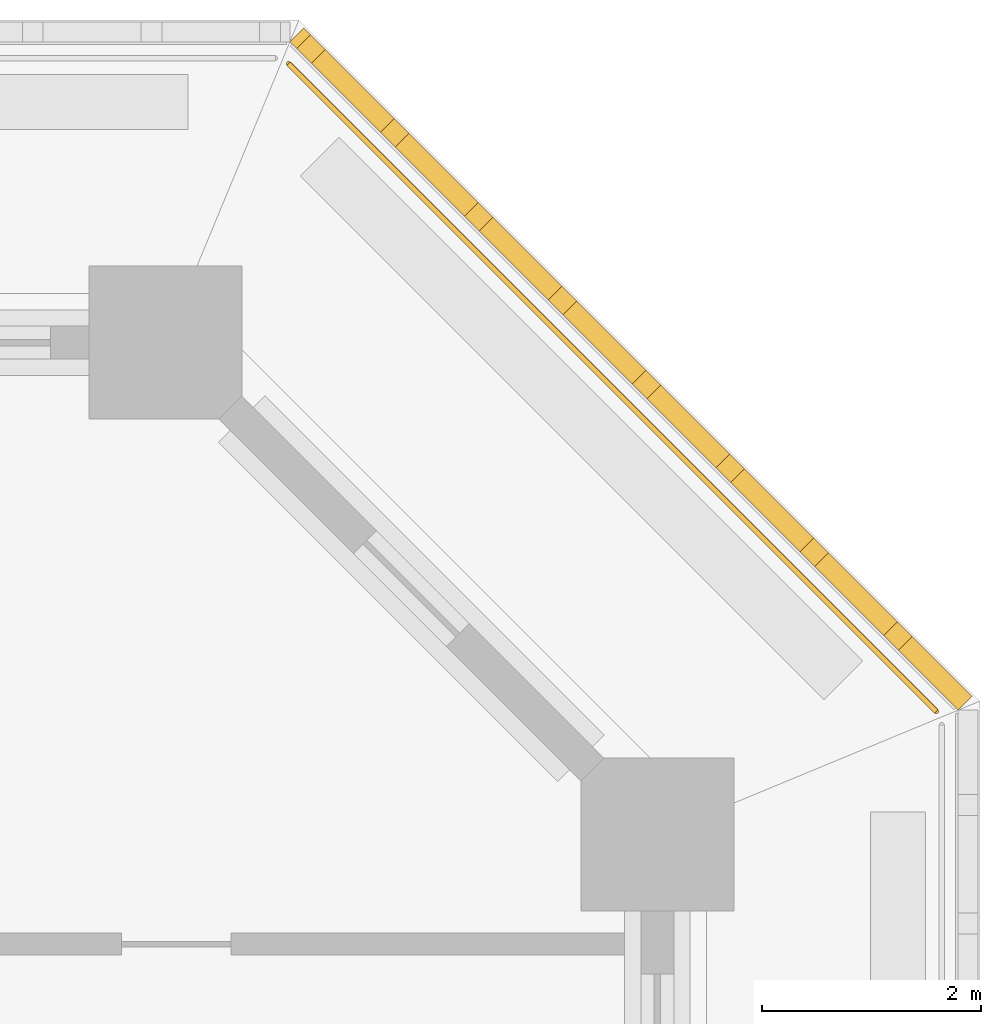
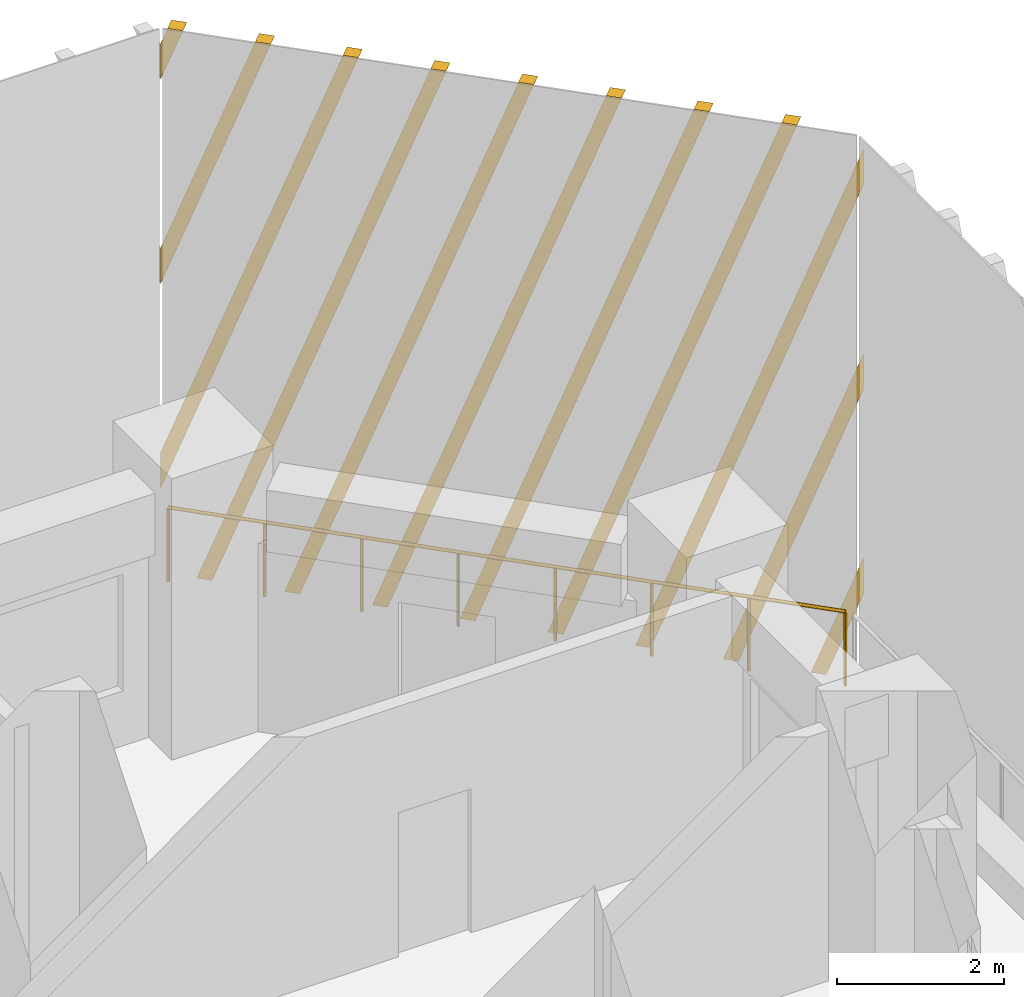
# One storey, part 13 of 14: 1 railing, 1 shading device.
"""IFC4 building model written with IfcOpenShell, lengths in metres."""

from ifc_helpers import new_model, si_unit, direction, frame, origin, origin_2d, place, context, subcontext, project, spatial, polyline, circle, outline, extrude, source, transform, mapped, material, type_object, element, save


model = new_model("IFC4")

# Units and contexts
model_context = context("Model", 3, precision=1e-05, world=origin(), true_north=direction((0.0, 1.0)))
body_context = subcontext(model_context, "Body", "Model", "MODEL_VIEW")
ifc_project = project(units=[si_unit("LENGTHUNIT", "METRE"), si_unit("AREAUNIT", "SQUARE_METRE"), si_unit("VOLUMEUNIT", "CUBIC_METRE"), si_unit("PLANEANGLEUNIT", "RADIAN"), si_unit("MASSUNIT", "GRAM", prefix="KILO")], contexts=[model_context])

# Site, building, storey
site_placement = place(None, origin())
site = spatial("IfcSite", under=ifc_project, at=site_placement, CompositionType="ELEMENT")
building_placement = place(site_placement, origin())
building = spatial("IfcBuilding", under=site, at=building_placement, Name="Corbel Stack Research Tower", CompositionType="ELEMENT")
storey_placement = place(building_placement, frame((0.0, 0.0, 50.10009765625)))
storey = spatial("IfcBuildingStorey", under=building, at=storey_placement, Name="L11", CompositionType="ELEMENT", Elevation=50.10009765625)

# Railing
ifc_material_1 = material(Name="Powder-coated steel guard", Category="steel")
railing_type = type_object("IfcRailingType", Name="Steel and glass guard 1100", PredefinedType="GUARDRAIL", material=ifc_material_1)
railing_placement = place(storey_placement, frame((34.04931640625, 23.627685546875, 0.0)))
element("IfcRailing", 1, at=railing_placement, inside=storey, type_object=railing_type, Name="Loggia guard L11 NE", PredefinedType="GUARDRAIL", context=body_context, shape_type="SweptSolid", body=[
    extrude(circle(Radius=0.02392578125, at=origin_2d()), frame((0.0, 0.0, 1.076171875), z_axis=(-0.707106781187, 0.707106781187, 0.0), x_axis=(-0.707106781187, -0.707106781187, 0.0)), (0.0, 0.0, 1.0), 8.37451171875),
    extrude(circle(Radius=0.02099609375, at=origin_2d()), origin(), (0.0, 0.0, 1.0), 1.052001953125),
    extrude(circle(Radius=0.02099609375, at=origin_2d()), frame((-0.845947265625, 0.845947265625, 0.0)), (0.0, 0.0, 1.0), 1.052001953125),
    extrude(circle(Radius=0.02099609375, at=origin_2d()), frame((-1.69189453125, 1.69189453125, 0.0)), (0.0, 0.0, 1.0), 1.052001953125),
    extrude(circle(Radius=0.02099609375, at=origin_2d()), frame((-2.537841796875, 2.537841796875, 0.0)), (0.0, 0.0, 1.0), 1.052001953125),
    extrude(circle(Radius=0.02099609375, at=origin_2d()), frame((-3.3837890625, 3.3837890625, 0.0)), (0.0, 0.0, 1.0), 1.052001953125),
    extrude(circle(Radius=0.02099609375, at=origin_2d()), frame((-4.229736328125, 4.229736328125, 0.0)), (0.0, 0.0, 1.0), 1.052001953125),
    extrude(circle(Radius=0.02099609375, at=origin_2d()), frame((-5.07568359375, 5.07568359375, 0.0)), (0.0, 0.0, 1.0), 1.052001953125),
    extrude(circle(Radius=0.02099609375, at=origin_2d()), frame((-5.921630859375, 5.921630859375, 0.0)), (0.0, 0.0, 1.0), 1.052001953125),
])

# Shading device
ifc_material_2 = material(Name="Precast terracotta", Category="masonry")
shading_device_type = type_object("IfcShadingDeviceType", Name="Terracotta screen panel", PredefinedType="USERDEFINED", material=ifc_material_2)
shared_shape = source(origin(), body_context, "Body", "SweptSolid", [
    extrude(outline(polyline([(0.60205078125, 0.0), (0.0, 1.654296875), (0.0, 1.13232421875), (0.412109375, 0.0), (0.60205078125, 0.0)])), frame((0.0, 0.0, 0.0), z_axis=(0.0, -1.0, 0.0), x_axis=(1.0, 0.0, 0.0)), (0.0, 0.0, 1.0), 0.179931640625),
    extrude(outline(polyline([(1.686767578125, 0.0), (0.0, 4.634521484375), (0.0, 4.1123046875), (1.496826171875, 0.0), (1.686767578125, 0.0)])), frame((0.0, 0.0, 0.0), z_axis=(0.0, -1.0, 0.0), x_axis=(1.0, 0.0, 0.0)), (0.0, 0.0, 1.0), 0.179931640625),
    extrude(outline(polyline([(2.771484375, 0.0), (0.0, 7.614501953125), (0.0, 7.092529296875), (2.58154296875, 0.0), (2.771484375, 0.0)])), frame((0.0, 0.0, 0.0), z_axis=(0.0, -1.0, 0.0), x_axis=(1.0, 0.0, 0.0)), (0.0, 0.0, 1.0), 0.179931640625),
    extrude(outline(polyline([(3.856201171875, 0.0), (0.962646484375, 7.949951171875), (0.772705078125, 7.949951171875), (3.666015625, 0.0), (3.856201171875, 0.0)])), frame((0.0, 0.0, 0.0), z_axis=(0.0, -1.0, 0.0), x_axis=(1.0, 0.0, 0.0)), (0.0, 0.0, 1.0), 0.179931640625),
    extrude(outline(polyline([(4.94091796875, 0.0), (2.047119140625, 7.949951171875), (1.857177734375, 7.949951171875), (4.750732421875, 0.0), (4.94091796875, 0.0)])), frame((0.0, 0.0, 0.0), z_axis=(0.0, -1.0, 0.0), x_axis=(1.0, 0.0, 0.0)), (0.0, 0.0, 1.0), 0.179931640625),
    extrude(outline(polyline([(6.025390625, 0.0), (3.1318359375, 7.949951171875), (2.94189453125, 7.949951171875), (5.83544921875, 0.0), (6.025390625, 0.0)])), frame((0.0, 0.0, 0.0), z_axis=(0.0, -1.0, 0.0), x_axis=(1.0, 0.0, 0.0)), (0.0, 0.0, 1.0), 0.179931640625),
    extrude(outline(polyline([(7.110107421875, 0.0), (4.216552734375, 7.949951171875), (4.026611328125, 7.949951171875), (6.920166015625, 0.0), (7.110107421875, 0.0)])), frame((0.0, 0.0, 0.0), z_axis=(0.0, -1.0, 0.0), x_axis=(1.0, 0.0, 0.0)), (0.0, 0.0, 1.0), 0.179931640625),
    extrude(outline(polyline([(8.19482421875, 0.0), (5.30126953125, 7.949951171875), (5.111083984375, 7.949951171875), (8.0048828125, 0.0), (8.19482421875, 0.0)])), frame((0.0, 0.0, 0.0), z_axis=(0.0, -1.0, 0.0), x_axis=(1.0, 0.0, 0.0)), (0.0, 0.0, 1.0), 0.179931640625),
    extrude(outline(polyline([(6.385986328125, 7.949951171875), (6.19580078125, 7.949951171875), (8.64208984375, 1.22900390625), (8.64208984375, 1.751220703125), (6.385986328125, 7.949951171875)])), frame((0.0, 0.0, 0.0), z_axis=(0.0, -1.0, 0.0), x_axis=(1.0, 0.0, 0.0)), (0.0, 0.0, 1.0), 0.179931640625),
    extrude(outline(polyline([(7.470703125, 7.949951171875), (7.280517578125, 7.949951171875), (8.64208984375, 4.208984375), (8.64208984375, 4.731201171875), (7.470703125, 7.949951171875)])), frame((0.0, 0.0, 0.0), z_axis=(0.0, -1.0, 0.0), x_axis=(1.0, 0.0, 0.0)), (0.0, 0.0, 1.0), 0.179931640625),
    extrude(outline(polyline([(8.55517578125, 7.949951171875), (8.365234375, 7.949951171875), (8.64208984375, 7.189208984375), (8.64208984375, 7.711181640625), (8.55517578125, 7.949951171875)])), frame((0.0, 0.0, 0.0), z_axis=(0.0, -1.0, 0.0), x_axis=(1.0, 0.0, 0.0)), (0.0, 0.0, 1.0), 0.179931640625),
])
shading_device_placement = place(storey_placement, frame((34.25, 23.63916015625, 0.0), z_axis=(0.0, 0.0, 1.0), x_axis=(-0.707106781187, 0.707106781187, 0.0)))
element("IfcShadingDevice", 2, at=shading_device_placement, inside=storey, type_object=shading_device_type, Name="Terracotta screen L11 NE1", ObjectType="SCREEN", PredefinedType="USERDEFINED", context=body_context, shape_type="MappedRepresentation", body=[
    mapped(shared_shape, transform((0.0, 0.0, 0.0))),
])

save(model, "model.ifc")
